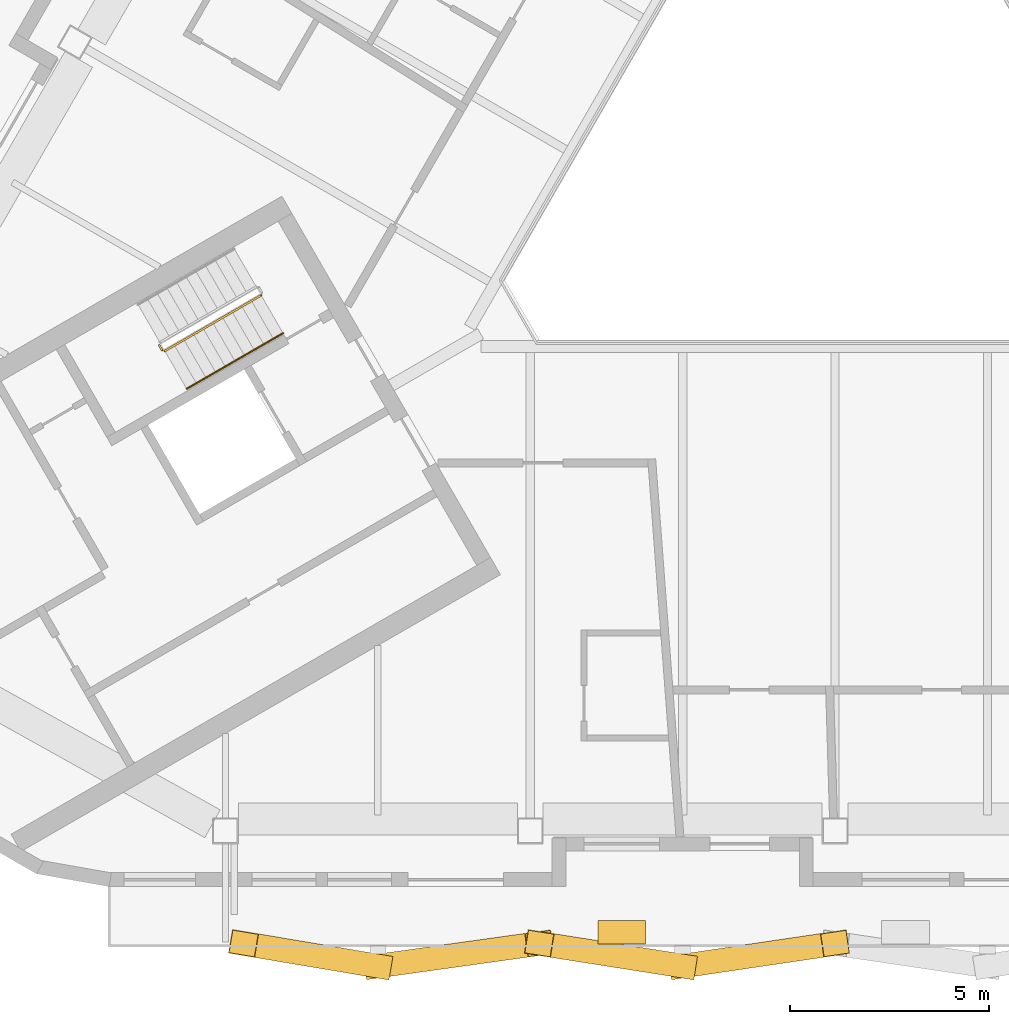
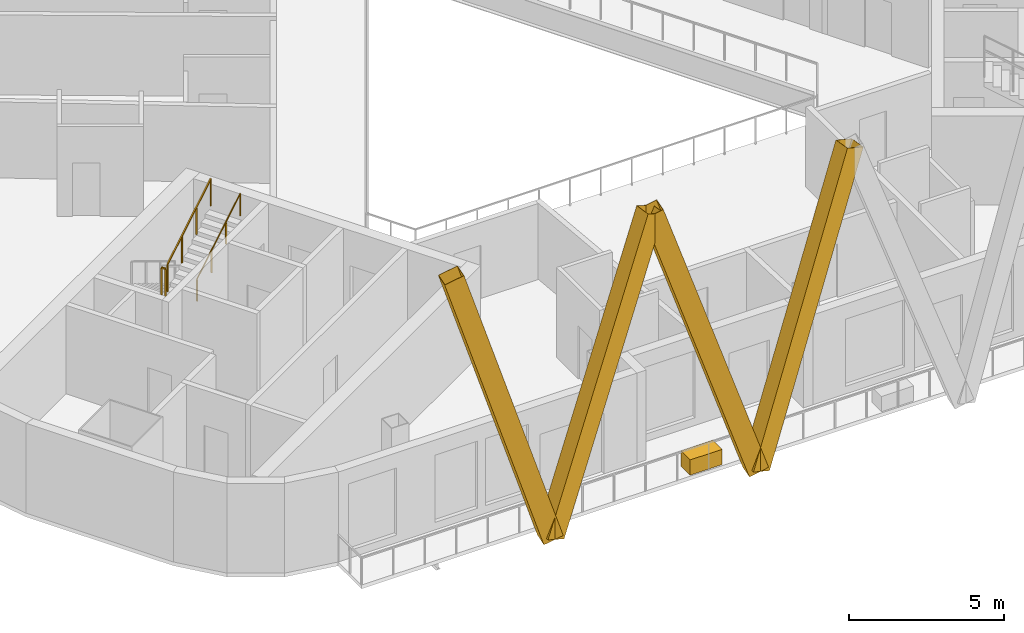
# One storey, part 9 of 14: 4 shading devices, 3 railings, 1 covering.
"""IFC4 building model written with IfcOpenShell, lengths in metres."""

from ifc_helpers import new_model, si_unit, direction, frame, origin, origin_2d, place, context, subcontext, project, spatial, rectangle, hollow_rectangle, circle, extrude, material, material_profile, profile_set, type_object, element, save


model = new_model("IFC4")

# Units and contexts
model_context = context("Model", 3, precision=1e-05, world=origin(), true_north=direction((0.0, 1.0)))
body_context = subcontext(model_context, "Body", "Model", "MODEL_VIEW")
ifc_project = project(units=[si_unit("LENGTHUNIT", "METRE"), si_unit("AREAUNIT", "SQUARE_METRE"), si_unit("VOLUMEUNIT", "CUBIC_METRE"), si_unit("PLANEANGLEUNIT", "RADIAN"), si_unit("MASSUNIT", "GRAM", prefix="KILO")], contexts=[model_context])

# Site, building, storey
site_placement = place(None, origin())
site = spatial("IfcSite", under=ifc_project, at=site_placement, CompositionType="ELEMENT")
building_placement = place(site_placement, origin())
building = spatial("IfcBuilding", under=site, at=building_placement, Name="Apuvela Tower Hotel", CompositionType="ELEMENT")
storey_placement = place(building_placement, frame((0.0, 0.0, 257.800048828125)))
storey = spatial("IfcBuildingStorey", under=building, at=storey_placement, Name="L63", CompositionType="ELEMENT", Elevation=257.800048828125)

# Railings
ifc_material_1 = material(Name="Steel S275 balustrade", Category="steel")
railing_type_1 = type_object("IfcRailingType", Name="COR-GUARD-1100", PredefinedType="GUARDRAIL", material=ifc_material_1)
railing_1_placement = place(storey_placement, frame((-17.01220703125, -5.43408203125, 1.849853515625)))
element("IfcRailing", 1, at=railing_1_placement, inside=storey, type_object=railing_type_1, Name="L63 ST2 stair guard 2", PredefinedType="GUARDRAIL", context=body_context, shape_type="SweptSolid", body=[
    extrude(rectangle(XDim=0.048095703125, YDim=0.048095703125, at=origin_2d()), frame((0.0, 0.0, 1.076171875), z_axis=(0.499816412211, -0.866131372301, 0.0), x_axis=(0.866131372301, 0.499816412211, 0.0)), (0.0, 0.0, 1.0), 0.14990234375),
    extrude(rectangle(XDim=0.0419921875, YDim=0.0419921875, at=origin_2d()), origin(), (0.0, 0.0, 1.0), 1.052001953125),
    extrude(rectangle(XDim=0.0419921875, YDim=0.0419921875, at=origin_2d()), frame((0.074951171875, -0.1298828125, 0.0)), (0.0, 0.0, 1.0), 1.052001953125),
])
railing_2_placement = place(storey_placement, frame((-16.868896484375, -5.582275390625, 2.01806640625)))
element("IfcRailing", 2, at=railing_2_placement, inside=storey, type_object=railing_type_1, Name="L63 ST2 stair guard 3", PredefinedType="GUARDRAIL", context=body_context, shape_type="SweptSolid", body=[
    extrude(rectangle(XDim=0.048095703125, YDim=0.048095703125, at=origin_2d()), frame((0.0, 0.0, 1.076171875), z_axis=(0.742390482028, 0.42860119049, 0.514934356695), x_axis=(-0.49998411664, 0.866034573852, 0.0)), (0.0, 0.0, 1.0), 3.26611328125),
    extrude(rectangle(XDim=0.0419921875, YDim=0.0419921875, at=origin_2d()), origin(), (0.0, 0.0, 1.0), 1.052001953125),
    extrude(rectangle(XDim=0.0419921875, YDim=0.0419921875, at=origin_2d()), frame((0.808349609375, 0.466552734375, 0.560546875)), (0.0, 0.0, 1.0), 1.052001953125),
    extrude(rectangle(XDim=0.0419921875, YDim=0.0419921875, at=origin_2d()), frame((1.616455078125, 0.933349609375, 1.121337890625)), (0.0, 0.0, 1.0), 1.052001953125),
    extrude(rectangle(XDim=0.0419921875, YDim=0.0419921875, at=origin_2d()), frame((2.4248046875, 1.39990234375, 1.681884765625)), (0.0, 0.0, 1.0), 1.052001953125),
])
ifc_material_2 = material(Name="Stainless steel 316 handrail", Category="steel")
railing_type_2 = type_object("IfcRailingType", Name="COR-HANDRAIL-900", PredefinedType="HANDRAIL", material=ifc_material_2)
railing_3_placement = place(storey_placement, frame((-16.31884765625, -6.534912109375, 2.01806640625)))
element("IfcRailing", 3, at=railing_3_placement, inside=storey, type_object=railing_type_2, Name="L63 ST2 stair handrail 2", PredefinedType="HANDRAIL", context=body_context, shape_type="SweptSolid", body=[
    extrude(circle(Radius=0.02392578125, at=origin_2d()), frame((0.0, 0.0, 0.8759765625), z_axis=(0.742390482028, 0.42860119049, 0.514934356695), x_axis=(-0.49998411664, 0.866034573852, 0.0)), (0.0, 0.0, 1.0), 3.26611328125),
    extrude(rectangle(XDim=0.0419921875, YDim=0.0419921875, at=origin_2d()), origin(), (0.0, 0.0, 1.0), 0.851806640625),
    extrude(rectangle(XDim=0.0419921875, YDim=0.0419921875, at=origin_2d()), frame((0.808349609375, 0.466552734375, 0.560546875)), (0.0, 0.0, 1.0), 0.851806640625),
    extrude(rectangle(XDim=0.0419921875, YDim=0.0419921875, at=origin_2d()), frame((1.616455078125, 0.933349609375, 1.121337890625)), (0.0, 0.0, 1.0), 0.851806640625),
    extrude(rectangle(XDim=0.0419921875, YDim=0.0419921875, at=origin_2d()), frame((2.4248046875, 1.39990234375, 1.681884765625)), (0.0, 0.0, 1.0), 0.851806640625),
])

# Shading devices
ifc_material_3 = material(Name="Aluminium 6063-T6, black anodised", Category="aluminium")
ifc_material_profile = material_profile(ifc_material_3, hollow_rectangle(XDim=0.60009765625, YDim=0.699951171875, WallThickness=0.011962890625, at=origin_2d()), Name="AL BOX 700x600x12")
ifc_profile_set = profile_set([ifc_material_profile], Name="Aluminium 6063-T6, black anodised")
shading_device_type = type_object("IfcShadingDeviceType", Name="ENV-FIN-700x600", PredefinedType="USERDEFINED", material=ifc_profile_set)
shading_device_1_placement = place(storey_placement, frame((-11.5078125, -21.06298828125, -0.10009765625), z_axis=(-0.29090140611, 0.048819821297, 0.955506670292), x_axis=(-0.165508034258, -0.986208441759, 0.0)))
element("IfcShadingDevice", 4, at=shading_device_1_placement, inside=storey, type_object=shading_device_type, Name="Lattice fin S537", ObjectType="FIN", PredefinedType="USERDEFINED", context=body_context, shape_type="SweptSolid", body=[
    extrude(hollow_rectangle(XDim=0.60009765625, YDim=0.699951171875, WallThickness=0.011962890625, at=origin_2d()), origin(), (0.0, 0.0, 1.0), 11.616943359375),
])
shading_device_2_placement = place(storey_placement, frame((-11.5078125, -21.06298828125, -0.10009765625), z_axis=(0.343425058085, 0.047923133894, 0.937956610253), x_axis=(-0.138205532075, 0.990403569715, 0.0)))
element("IfcShadingDevice", 5, at=shading_device_2_placement, inside=storey, type_object=shading_device_type, Name="Lattice fin S538", ObjectType="FIN", PredefinedType="USERDEFINED", context=body_context, shape_type="SweptSolid", body=[
    extrude(hollow_rectangle(XDim=0.60009765625, YDim=0.699951171875, WallThickness=0.011962890625, at=origin_2d()), origin(), (0.0, 0.0, 1.0), 11.834228515625),
])
shading_device_3_placement = place(storey_placement, frame((-3.8359375, -21.06298828125, -0.10009765625), z_axis=(-0.308732219208, 0.048533866497, 0.949909932902), x_axis=(-0.155296550327, -0.987867896764, 0.0)))
element("IfcShadingDevice", 6, at=shading_device_3_placement, inside=storey, type_object=shading_device_type, Name="Lattice fin S539", ObjectType="FIN", PredefinedType="USERDEFINED", context=body_context, shape_type="SweptSolid", body=[
    extrude(hollow_rectangle(XDim=0.60009765625, YDim=0.699951171875, WallThickness=0.011962890625, at=origin_2d()), origin(), (0.0, 0.0, 1.0), 11.685302734375),
])
shading_device_4_placement = place(storey_placement, frame((-3.8359375, -21.06298828125, -0.10009765625), z_axis=(0.326243397672, 0.048234687678, 0.944054373635), x_axis=(-0.146258864264, 0.989246351838, 0.0)))
element("IfcShadingDevice", 7, at=shading_device_4_placement, inside=storey, type_object=shading_device_type, Name="Lattice fin S540", ObjectType="FIN", PredefinedType="USERDEFINED", context=body_context, shape_type="SweptSolid", body=[
    extrude(hollow_rectangle(XDim=0.60009765625, YDim=0.699951171875, WallThickness=0.011962890625, at=origin_2d()), origin(), (0.0, 0.0, 1.0), 11.7578125),
])

# Covering
ifc_material_4 = material(Name="Planting substrate and soil, planted")
covering_type = type_object("IfcCoveringType", Name="ENV-PLANTER-1200x600", PredefinedType="USERDEFINED", material=ifc_material_4)
covering_placement = place(storey_placement, frame((-5.371826171875, -20.212890625, 0.0), z_axis=(0.0, 0.0, 1.0), x_axis=(1.0, 0.0, 0.0)))
element("IfcCovering", 8, at=covering_placement, inside=storey, type_object=covering_type, Name="Planter S1", ObjectType="PLANTER", PredefinedType="USERDEFINED", context=body_context, shape_type="SweptSolid", body=[
    extrude(rectangle(XDim=1.199951171875, YDim=0.60009765625, at=origin_2d()), origin(), (0.0, 0.0, 1.0), 0.60009765625),
])

save(model, "model.ifc")
